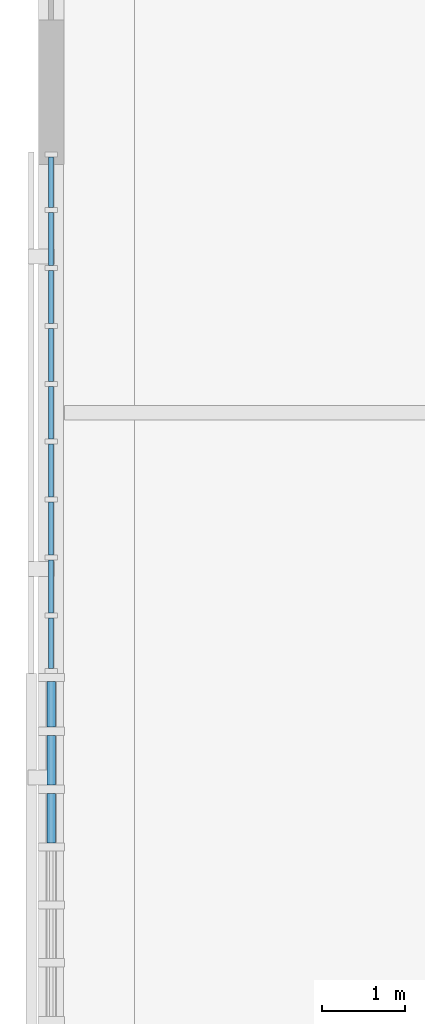
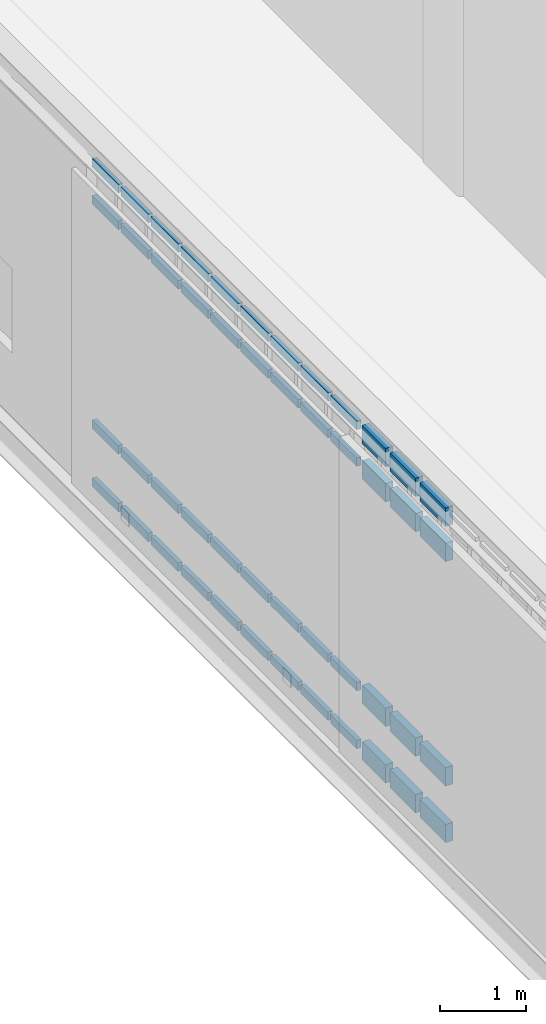
# One storey, part 50 of 127: 48 members, 2 elements without a shape of their own.
"""IFC4 building model written with IfcOpenShell, lengths in metres."""

from ifc_helpers import new_model, si_unit, direction, frame, origin, origin_2d, place, context, subcontext, project, spatial, rectangle, extrude, material, material_profile, profile_set, type_object, element, aggregate, save


model = new_model("IFC4")

# Units and contexts
model_context = context("Model", 3, precision=1e-05, world=origin(), true_north=direction((0.0, 1.0)))
body_context = subcontext(model_context, "Body", "Model", "MODEL_VIEW")
ifc_project = project(units=[si_unit("LENGTHUNIT", "METRE"), si_unit("AREAUNIT", "SQUARE_METRE"), si_unit("VOLUMEUNIT", "CUBIC_METRE"), si_unit("PLANEANGLEUNIT", "RADIAN"), si_unit("MASSUNIT", "GRAM", prefix="KILO")], contexts=[model_context])

# Site, building, storey
site_placement = place(None, origin())
site = spatial("IfcSite", under=ifc_project, at=site_placement, CompositionType="ELEMENT")
building_placement = place(site_placement, origin())
building = spatial("IfcBuilding", under=site, at=building_placement, Name="Larkvane Passage Sports Hall", CompositionType="ELEMENT")
storey_placement = place(building_placement, frame((0.0, 0.0, 5.39990234375)))
storey = spatial("IfcBuildingStorey", under=building, at=storey_placement, Name="L01", CompositionType="ELEMENT", Elevation=5.39990234375)

# Curtain wall, members
ifc_material_1 = material(Name="Thermally broken aluminium and low-E glazing", Category="aluminium")
curtain_wall_type_1 = type_object("IfcCurtainWallType", Name="CW-CLINIC", PredefinedType="USERDEFINED", material=ifc_material_1)
curtain_wall_1_placement = place(storey_placement, origin())
curtain_wall_1 = element("IfcCurtainWall", 1, at=curtain_wall_1_placement, inside=storey, type_object=curtain_wall_type_1, Name="Curtain wall CW5-L01-035", ObjectType="UNITISED CURTAIN WALL", PredefinedType="USERDEFINED")
ifc_material_2 = material(Name="Anodised aluminium 6063-T6", Category="aluminium")
ifc_material_profile_1 = material_profile(ifc_material_2, rectangle(XDim=0.10009765625, YDim=0.260009765625, at=origin_2d()), Name="ALU-TRN-100x260")
ifc_profile_set_1 = profile_set([ifc_material_profile_1], Name="Anodised aluminium 6063-T6")
member_type_1 = type_object("IfcMemberType", Name="CW-TRN-100x260", PredefinedType="USERDEFINED", material=ifc_profile_set_1)
member_1_placement = place(storey_placement, frame((27.800048828125, 52.037841796875, 0.050048828125), z_axis=(0.0, 1.0, 0.0), x_axis=(-1.0, 0.0, 0.0)))
member_1 = element("IfcMember", 2, at=member_1_placement, type_object=member_type_1, Name="CW-05 transom 7.1", ObjectType="TRANSOM", PredefinedType="USERDEFINED", context=body_context, shape_type="SweptSolid", body=[
    extrude(rectangle(XDim=0.10009765625, YDim=0.260009765625, at=origin_2d()), origin(), (0.0, 0.0, 1.0), 0.594970703125),
])
member_2_placement = place(storey_placement, frame((27.800048828125, 52.037841796875, 0.85009765625), z_axis=(0.0, 1.0, 0.0), x_axis=(-1.0, 0.0, 0.0)))
member_2 = element("IfcMember", 3, at=member_2_placement, type_object=member_type_1, Name="CW-05 transom 7.2", ObjectType="TRANSOM", PredefinedType="USERDEFINED", context=body_context, shape_type="SweptSolid", body=[
    extrude(rectangle(XDim=0.10009765625, YDim=0.260009765625, at=origin_2d()), origin(), (0.0, 0.0, 1.0), 0.594970703125),
])
member_3_placement = place(storey_placement, frame((27.800048828125, 52.037841796875, 4.028076171875), z_axis=(0.0, 1.0, 0.0), x_axis=(-1.0, 0.0, 0.0)))
member_3 = element("IfcMember", 4, at=member_3_placement, type_object=member_type_1, Name="CW-05 transom 7.3", ObjectType="TRANSOM", PredefinedType="USERDEFINED", context=body_context, shape_type="SweptSolid", body=[
    extrude(rectangle(XDim=0.10009765625, YDim=0.260009765625, at=origin_2d()), origin(), (0.0, 0.0, 1.0), 0.594970703125),
])
member_4_placement = place(storey_placement, frame((27.800048828125, 52.037841796875, 4.528076171875), z_axis=(0.0, 1.0, 0.0), x_axis=(-1.0, 0.0, 0.0)))
member_4 = element("IfcMember", 5, at=member_4_placement, type_object=member_type_1, Name="CW-05 transom 7.4", ObjectType="TRANSOM", PredefinedType="USERDEFINED", context=body_context, shape_type="SweptSolid", body=[
    extrude(rectangle(XDim=0.10009765625, YDim=0.260009765625, at=origin_2d()), origin(), (0.0, 0.0, 1.0), 0.594970703125),
])
member_5_placement = place(storey_placement, frame((27.800048828125, 52.73291015625, 0.050048828125), z_axis=(0.0, 1.0, 0.0), x_axis=(-1.0, 0.0, 0.0)))
member_5 = element("IfcMember", 6, at=member_5_placement, type_object=member_type_1, Name="CW-05 transom 8.1", ObjectType="TRANSOM", PredefinedType="USERDEFINED", context=body_context, shape_type="SweptSolid", body=[
    extrude(rectangle(XDim=0.10009765625, YDim=0.260009765625, at=origin_2d()), origin(), (0.0, 0.0, 1.0), 0.5947265625),
])
member_6_placement = place(storey_placement, frame((27.800048828125, 52.73291015625, 0.85009765625), z_axis=(0.0, 1.0, 0.0), x_axis=(-1.0, 0.0, 0.0)))
member_6 = element("IfcMember", 7, at=member_6_placement, type_object=member_type_1, Name="CW-05 transom 8.2", ObjectType="TRANSOM", PredefinedType="USERDEFINED", context=body_context, shape_type="SweptSolid", body=[
    extrude(rectangle(XDim=0.10009765625, YDim=0.260009765625, at=origin_2d()), origin(), (0.0, 0.0, 1.0), 0.5947265625),
])
member_7_placement = place(storey_placement, frame((27.800048828125, 52.73291015625, 4.028076171875), z_axis=(0.0, 1.0, 0.0), x_axis=(-1.0, 0.0, 0.0)))
member_7 = element("IfcMember", 8, at=member_7_placement, type_object=member_type_1, Name="CW-05 transom 8.3", ObjectType="TRANSOM", PredefinedType="USERDEFINED", context=body_context, shape_type="SweptSolid", body=[
    extrude(rectangle(XDim=0.10009765625, YDim=0.260009765625, at=origin_2d()), origin(), (0.0, 0.0, 1.0), 0.5947265625),
])
member_8_placement = place(storey_placement, frame((27.800048828125, 52.73291015625, 4.528076171875), z_axis=(0.0, 1.0, 0.0), x_axis=(-1.0, 0.0, 0.0)))
member_8 = element("IfcMember", 9, at=member_8_placement, type_object=member_type_1, Name="CW-05 transom 8.4", ObjectType="TRANSOM", PredefinedType="USERDEFINED", context=body_context, shape_type="SweptSolid", body=[
    extrude(rectangle(XDim=0.10009765625, YDim=0.260009765625, at=origin_2d()), origin(), (0.0, 0.0, 1.0), 0.5947265625),
])
member_9_placement = place(storey_placement, frame((27.800048828125, 53.427734375, 0.050048828125), z_axis=(0.0, 1.0, 0.0), x_axis=(-1.0, 0.0, 0.0)))
member_9 = element("IfcMember", 10, at=member_9_placement, type_object=member_type_1, Name="CW-05 transom 9.1", ObjectType="TRANSOM", PredefinedType="USERDEFINED", context=body_context, shape_type="SweptSolid", body=[
    extrude(rectangle(XDim=0.10009765625, YDim=0.260009765625, at=origin_2d()), origin(), (0.0, 0.0, 1.0), 0.544921875),
])
member_10_placement = place(storey_placement, frame((27.800048828125, 53.427734375, 0.85009765625), z_axis=(0.0, 1.0, 0.0), x_axis=(-1.0, 0.0, 0.0)))
member_10 = element("IfcMember", 11, at=member_10_placement, type_object=member_type_1, Name="CW-05 transom 9.2", ObjectType="TRANSOM", PredefinedType="USERDEFINED", context=body_context, shape_type="SweptSolid", body=[
    extrude(rectangle(XDim=0.10009765625, YDim=0.260009765625, at=origin_2d()), origin(), (0.0, 0.0, 1.0), 0.544921875),
])
member_11_placement = place(storey_placement, frame((27.800048828125, 53.427734375, 4.028076171875), z_axis=(0.0, 1.0, 0.0), x_axis=(-1.0, 0.0, 0.0)))
member_11 = element("IfcMember", 12, at=member_11_placement, type_object=member_type_1, Name="CW-05 transom 9.3", ObjectType="TRANSOM", PredefinedType="USERDEFINED", context=body_context, shape_type="SweptSolid", body=[
    extrude(rectangle(XDim=0.10009765625, YDim=0.260009765625, at=origin_2d()), origin(), (0.0, 0.0, 1.0), 0.544921875),
])
member_12_placement = place(storey_placement, frame((27.800048828125, 53.427734375, 4.528076171875), z_axis=(0.0, 1.0, 0.0), x_axis=(-1.0, 0.0, 0.0)))
member_12 = element("IfcMember", 13, at=member_12_placement, type_object=member_type_1, Name="CW-05 transom 9.4", ObjectType="TRANSOM", PredefinedType="USERDEFINED", context=body_context, shape_type="SweptSolid", body=[
    extrude(rectangle(XDim=0.10009765625, YDim=0.260009765625, at=origin_2d()), origin(), (0.0, 0.0, 1.0), 0.544921875),
])
aggregate(curtain_wall_1, [member_1, member_2, member_3, member_4, member_5, member_6, member_7, member_8, member_9, member_10, member_11, member_12])

curtain_wall_type_2 = type_object("IfcCurtainWallType", Name="CW-UNIT-COURT", PredefinedType="USERDEFINED", material=ifc_material_1)
curtain_wall_2_placement = place(storey_placement, origin())
curtain_wall_2 = element("IfcCurtainWall", 14, at=curtain_wall_2_placement, inside=storey, type_object=curtain_wall_type_2, Name="Curtain wall CW5-L01-036", ObjectType="UNITISED CURTAIN WALL", PredefinedType="USERDEFINED")
ifc_material_profile_2 = material_profile(ifc_material_2, rectangle(XDim=0.06005859375, YDim=0.1201171875, at=origin_2d()), Name="ALU-TRN-60x120")
ifc_profile_set_2 = profile_set([ifc_material_profile_2], Name="Anodised aluminium 6063-T6")
member_type_2 = type_object("IfcMemberType", Name="CW-TRN-60x120", PredefinedType="USERDEFINED", material=ifc_profile_set_2)
member_13_placement = place(storey_placement, frame((27.800048828125, 54.1328125, 0.030029296875), z_axis=(0.0, 1.0, 0.0), x_axis=(-1.0, 0.0, 0.0)))
member_13 = element("IfcMember", 15, at=member_13_placement, type_object=member_type_2, Name="CW-01 transom 1.1", ObjectType="TRANSOM", PredefinedType="USERDEFINED", context=body_context, shape_type="SweptSolid", body=[
    extrude(rectangle(XDim=0.06005859375, YDim=0.1201171875, at=origin_2d()), origin(), (0.0, 0.0, 1.0), 0.604736328125),
])
member_14_placement = place(storey_placement, frame((27.800048828125, 54.1328125, 0.85009765625), z_axis=(0.0, 1.0, 0.0), x_axis=(-1.0, 0.0, 0.0)))
member_14 = element("IfcMember", 16, at=member_14_placement, type_object=member_type_2, Name="CW-01 transom 1.2", ObjectType="TRANSOM", PredefinedType="USERDEFINED", context=body_context, shape_type="SweptSolid", body=[
    extrude(rectangle(XDim=0.06005859375, YDim=0.1201171875, at=origin_2d()), origin(), (0.0, 0.0, 1.0), 0.604736328125),
])
member_15_placement = place(storey_placement, frame((27.800048828125, 54.1328125, 4.028076171875), z_axis=(0.0, 1.0, 0.0), x_axis=(-1.0, 0.0, 0.0)))
member_15 = element("IfcMember", 17, at=member_15_placement, type_object=member_type_2, Name="CW-01 transom 1.3", ObjectType="TRANSOM", PredefinedType="USERDEFINED", context=body_context, shape_type="SweptSolid", body=[
    extrude(rectangle(XDim=0.06005859375, YDim=0.1201171875, at=origin_2d()), origin(), (0.0, 0.0, 1.0), 0.604736328125),
])
member_16_placement = place(storey_placement, frame((27.800048828125, 54.1328125, 4.548095703125), z_axis=(0.0, 1.0, 0.0), x_axis=(-1.0, 0.0, 0.0)))
member_16 = element("IfcMember", 18, at=member_16_placement, type_object=member_type_2, Name="CW-01 transom 1.4", ObjectType="TRANSOM", PredefinedType="USERDEFINED", context=body_context, shape_type="SweptSolid", body=[
    extrude(rectangle(XDim=0.06005859375, YDim=0.1201171875, at=origin_2d()), origin(), (0.0, 0.0, 1.0), 0.604736328125),
])
member_17_placement = place(storey_placement, frame((27.800048828125, 54.797607421875, 0.030029296875), z_axis=(0.0, 1.0, 0.0), x_axis=(-1.0, 0.0, 0.0)))
member_17 = element("IfcMember", 19, at=member_17_placement, type_object=member_type_2, Name="CW-01 transom 2.1", ObjectType="TRANSOM", PredefinedType="USERDEFINED", context=body_context, shape_type="SweptSolid", body=[
    extrude(rectangle(XDim=0.06005859375, YDim=0.1201171875, at=origin_2d()), origin(), (0.0, 0.0, 1.0), 0.635009765625),
])
member_18_placement = place(storey_placement, frame((27.800048828125, 54.797607421875, 0.85009765625), z_axis=(0.0, 1.0, 0.0), x_axis=(-1.0, 0.0, 0.0)))
member_18 = element("IfcMember", 20, at=member_18_placement, type_object=member_type_2, Name="CW-01 transom 2.2", ObjectType="TRANSOM", PredefinedType="USERDEFINED", context=body_context, shape_type="SweptSolid", body=[
    extrude(rectangle(XDim=0.06005859375, YDim=0.1201171875, at=origin_2d()), origin(), (0.0, 0.0, 1.0), 0.635009765625),
])
member_19_placement = place(storey_placement, frame((27.800048828125, 54.797607421875, 4.028076171875), z_axis=(0.0, 1.0, 0.0), x_axis=(-1.0, 0.0, 0.0)))
member_19 = element("IfcMember", 21, at=member_19_placement, type_object=member_type_2, Name="CW-01 transom 2.3", ObjectType="TRANSOM", PredefinedType="USERDEFINED", context=body_context, shape_type="SweptSolid", body=[
    extrude(rectangle(XDim=0.06005859375, YDim=0.1201171875, at=origin_2d()), origin(), (0.0, 0.0, 1.0), 0.635009765625),
])
member_20_placement = place(storey_placement, frame((27.800048828125, 54.797607421875, 4.548095703125), z_axis=(0.0, 1.0, 0.0), x_axis=(-1.0, 0.0, 0.0)))
member_20 = element("IfcMember", 22, at=member_20_placement, type_object=member_type_2, Name="CW-01 transom 2.4", ObjectType="TRANSOM", PredefinedType="USERDEFINED", context=body_context, shape_type="SweptSolid", body=[
    extrude(rectangle(XDim=0.06005859375, YDim=0.1201171875, at=origin_2d()), origin(), (0.0, 0.0, 1.0), 0.635009765625),
])
member_21_placement = place(storey_placement, frame((27.800048828125, 55.49267578125, 0.030029296875), z_axis=(0.0, 1.0, 0.0), x_axis=(-1.0, 0.0, 0.0)))
member_21 = element("IfcMember", 23, at=member_21_placement, type_object=member_type_2, Name="CW-01 transom 3.1", ObjectType="TRANSOM", PredefinedType="USERDEFINED", context=body_context, shape_type="SweptSolid", body=[
    extrude(rectangle(XDim=0.06005859375, YDim=0.1201171875, at=origin_2d()), origin(), (0.0, 0.0, 1.0), 0.635009765625),
])
member_22_placement = place(storey_placement, frame((27.800048828125, 55.49267578125, 0.85009765625), z_axis=(0.0, 1.0, 0.0), x_axis=(-1.0, 0.0, 0.0)))
member_22 = element("IfcMember", 24, at=member_22_placement, type_object=member_type_2, Name="CW-01 transom 3.2", ObjectType="TRANSOM", PredefinedType="USERDEFINED", context=body_context, shape_type="SweptSolid", body=[
    extrude(rectangle(XDim=0.06005859375, YDim=0.1201171875, at=origin_2d()), origin(), (0.0, 0.0, 1.0), 0.635009765625),
])
member_23_placement = place(storey_placement, frame((27.800048828125, 55.49267578125, 4.028076171875), z_axis=(0.0, 1.0, 0.0), x_axis=(-1.0, 0.0, 0.0)))
member_23 = element("IfcMember", 25, at=member_23_placement, type_object=member_type_2, Name="CW-01 transom 3.3", ObjectType="TRANSOM", PredefinedType="USERDEFINED", context=body_context, shape_type="SweptSolid", body=[
    extrude(rectangle(XDim=0.06005859375, YDim=0.1201171875, at=origin_2d()), origin(), (0.0, 0.0, 1.0), 0.635009765625),
])
member_24_placement = place(storey_placement, frame((27.800048828125, 55.49267578125, 4.548095703125), z_axis=(0.0, 1.0, 0.0), x_axis=(-1.0, 0.0, 0.0)))
member_24 = element("IfcMember", 26, at=member_24_placement, type_object=member_type_2, Name="CW-01 transom 3.4", ObjectType="TRANSOM", PredefinedType="USERDEFINED", context=body_context, shape_type="SweptSolid", body=[
    extrude(rectangle(XDim=0.06005859375, YDim=0.1201171875, at=origin_2d()), origin(), (0.0, 0.0, 1.0), 0.635009765625),
])
member_25_placement = place(storey_placement, frame((27.800048828125, 56.1875, 0.030029296875), z_axis=(0.0, 1.0, 0.0), x_axis=(-1.0, 0.0, 0.0)))
member_25 = element("IfcMember", 27, at=member_25_placement, type_object=member_type_2, Name="CW-01 transom 4.1", ObjectType="TRANSOM", PredefinedType="USERDEFINED", context=body_context, shape_type="SweptSolid", body=[
    extrude(rectangle(XDim=0.06005859375, YDim=0.1201171875, at=origin_2d()), origin(), (0.0, 0.0, 1.0), 0.635009765625),
])
member_26_placement = place(storey_placement, frame((27.800048828125, 56.1875, 0.85009765625), z_axis=(0.0, 1.0, 0.0), x_axis=(-1.0, 0.0, 0.0)))
member_26 = element("IfcMember", 28, at=member_26_placement, type_object=member_type_2, Name="CW-01 transom 4.2", ObjectType="TRANSOM", PredefinedType="USERDEFINED", context=body_context, shape_type="SweptSolid", body=[
    extrude(rectangle(XDim=0.06005859375, YDim=0.1201171875, at=origin_2d()), origin(), (0.0, 0.0, 1.0), 0.635009765625),
])
member_27_placement = place(storey_placement, frame((27.800048828125, 56.1875, 4.028076171875), z_axis=(0.0, 1.0, 0.0), x_axis=(-1.0, 0.0, 0.0)))
member_27 = element("IfcMember", 29, at=member_27_placement, type_object=member_type_2, Name="CW-01 transom 4.3", ObjectType="TRANSOM", PredefinedType="USERDEFINED", context=body_context, shape_type="SweptSolid", body=[
    extrude(rectangle(XDim=0.06005859375, YDim=0.1201171875, at=origin_2d()), origin(), (0.0, 0.0, 1.0), 0.635009765625),
])
member_28_placement = place(storey_placement, frame((27.800048828125, 56.1875, 4.548095703125), z_axis=(0.0, 1.0, 0.0), x_axis=(-1.0, 0.0, 0.0)))
member_28 = element("IfcMember", 30, at=member_28_placement, type_object=member_type_2, Name="CW-01 transom 4.4", ObjectType="TRANSOM", PredefinedType="USERDEFINED", context=body_context, shape_type="SweptSolid", body=[
    extrude(rectangle(XDim=0.06005859375, YDim=0.1201171875, at=origin_2d()), origin(), (0.0, 0.0, 1.0), 0.635009765625),
])
member_29_placement = place(storey_placement, frame((27.800048828125, 56.882568359375, 0.030029296875), z_axis=(0.0, 1.0, 0.0), x_axis=(-1.0, 0.0, 0.0)))
member_29 = element("IfcMember", 31, at=member_29_placement, type_object=member_type_2, Name="CW-01 transom 5.1", ObjectType="TRANSOM", PredefinedType="USERDEFINED", context=body_context, shape_type="SweptSolid", body=[
    extrude(rectangle(XDim=0.06005859375, YDim=0.1201171875, at=origin_2d()), origin(), (0.0, 0.0, 1.0), 0.635009765625),
])
member_30_placement = place(storey_placement, frame((27.800048828125, 56.882568359375, 0.85009765625), z_axis=(0.0, 1.0, 0.0), x_axis=(-1.0, 0.0, 0.0)))
member_30 = element("IfcMember", 32, at=member_30_placement, type_object=member_type_2, Name="CW-01 transom 5.2", ObjectType="TRANSOM", PredefinedType="USERDEFINED", context=body_context, shape_type="SweptSolid", body=[
    extrude(rectangle(XDim=0.06005859375, YDim=0.1201171875, at=origin_2d()), origin(), (0.0, 0.0, 1.0), 0.635009765625),
])
member_31_placement = place(storey_placement, frame((27.800048828125, 56.882568359375, 4.028076171875), z_axis=(0.0, 1.0, 0.0), x_axis=(-1.0, 0.0, 0.0)))
member_31 = element("IfcMember", 33, at=member_31_placement, type_object=member_type_2, Name="CW-01 transom 5.3", ObjectType="TRANSOM", PredefinedType="USERDEFINED", context=body_context, shape_type="SweptSolid", body=[
    extrude(rectangle(XDim=0.06005859375, YDim=0.1201171875, at=origin_2d()), origin(), (0.0, 0.0, 1.0), 0.635009765625),
])
member_32_placement = place(storey_placement, frame((27.800048828125, 56.882568359375, 4.548095703125), z_axis=(0.0, 1.0, 0.0), x_axis=(-1.0, 0.0, 0.0)))
member_32 = element("IfcMember", 34, at=member_32_placement, type_object=member_type_2, Name="CW-01 transom 5.4", ObjectType="TRANSOM", PredefinedType="USERDEFINED", context=body_context, shape_type="SweptSolid", body=[
    extrude(rectangle(XDim=0.06005859375, YDim=0.1201171875, at=origin_2d()), origin(), (0.0, 0.0, 1.0), 0.635009765625),
])
member_33_placement = place(storey_placement, frame((27.800048828125, 57.577392578125, 0.030029296875), z_axis=(0.0, 1.0, 0.0), x_axis=(-1.0, 0.0, 0.0)))
member_33 = element("IfcMember", 35, at=member_33_placement, type_object=member_type_2, Name="CW-01 transom 6.1", ObjectType="TRANSOM", PredefinedType="USERDEFINED", context=body_context, shape_type="SweptSolid", body=[
    extrude(rectangle(XDim=0.06005859375, YDim=0.1201171875, at=origin_2d()), origin(), (0.0, 0.0, 1.0), 0.635009765625),
])
member_34_placement = place(storey_placement, frame((27.800048828125, 57.577392578125, 0.85009765625), z_axis=(0.0, 1.0, 0.0), x_axis=(-1.0, 0.0, 0.0)))
member_34 = element("IfcMember", 36, at=member_34_placement, type_object=member_type_2, Name="CW-01 transom 6.2", ObjectType="TRANSOM", PredefinedType="USERDEFINED", context=body_context, shape_type="SweptSolid", body=[
    extrude(rectangle(XDim=0.06005859375, YDim=0.1201171875, at=origin_2d()), origin(), (0.0, 0.0, 1.0), 0.635009765625),
])
member_35_placement = place(storey_placement, frame((27.800048828125, 57.577392578125, 4.028076171875), z_axis=(0.0, 1.0, 0.0), x_axis=(-1.0, 0.0, 0.0)))
member_35 = element("IfcMember", 37, at=member_35_placement, type_object=member_type_2, Name="CW-01 transom 6.3", ObjectType="TRANSOM", PredefinedType="USERDEFINED", context=body_context, shape_type="SweptSolid", body=[
    extrude(rectangle(XDim=0.06005859375, YDim=0.1201171875, at=origin_2d()), origin(), (0.0, 0.0, 1.0), 0.635009765625),
])
member_36_placement = place(storey_placement, frame((27.800048828125, 57.577392578125, 4.548095703125), z_axis=(0.0, 1.0, 0.0), x_axis=(-1.0, 0.0, 0.0)))
member_36 = element("IfcMember", 38, at=member_36_placement, type_object=member_type_2, Name="CW-01 transom 6.4", ObjectType="TRANSOM", PredefinedType="USERDEFINED", context=body_context, shape_type="SweptSolid", body=[
    extrude(rectangle(XDim=0.06005859375, YDim=0.1201171875, at=origin_2d()), origin(), (0.0, 0.0, 1.0), 0.635009765625),
])
member_37_placement = place(storey_placement, frame((27.800048828125, 58.2724609375, 0.030029296875), z_axis=(0.0, 1.0, 0.0), x_axis=(-1.0, 0.0, 0.0)))
member_37 = element("IfcMember", 39, at=member_37_placement, type_object=member_type_2, Name="CW-01 transom 7.1", ObjectType="TRANSOM", PredefinedType="USERDEFINED", context=body_context, shape_type="SweptSolid", body=[
    extrude(rectangle(XDim=0.06005859375, YDim=0.1201171875, at=origin_2d()), origin(), (0.0, 0.0, 1.0), 0.635009765625),
])
member_38_placement = place(storey_placement, frame((27.800048828125, 58.2724609375, 0.85009765625), z_axis=(0.0, 1.0, 0.0), x_axis=(-1.0, 0.0, 0.0)))
member_38 = element("IfcMember", 40, at=member_38_placement, type_object=member_type_2, Name="CW-01 transom 7.2", ObjectType="TRANSOM", PredefinedType="USERDEFINED", context=body_context, shape_type="SweptSolid", body=[
    extrude(rectangle(XDim=0.06005859375, YDim=0.1201171875, at=origin_2d()), origin(), (0.0, 0.0, 1.0), 0.635009765625),
])
member_39_placement = place(storey_placement, frame((27.800048828125, 58.2724609375, 4.028076171875), z_axis=(0.0, 1.0, 0.0), x_axis=(-1.0, 0.0, 0.0)))
member_39 = element("IfcMember", 41, at=member_39_placement, type_object=member_type_2, Name="CW-01 transom 7.3", ObjectType="TRANSOM", PredefinedType="USERDEFINED", context=body_context, shape_type="SweptSolid", body=[
    extrude(rectangle(XDim=0.06005859375, YDim=0.1201171875, at=origin_2d()), origin(), (0.0, 0.0, 1.0), 0.635009765625),
])
member_40_placement = place(storey_placement, frame((27.800048828125, 58.2724609375, 4.548095703125), z_axis=(0.0, 1.0, 0.0), x_axis=(-1.0, 0.0, 0.0)))
member_40 = element("IfcMember", 42, at=member_40_placement, type_object=member_type_2, Name="CW-01 transom 7.4", ObjectType="TRANSOM", PredefinedType="USERDEFINED", context=body_context, shape_type="SweptSolid", body=[
    extrude(rectangle(XDim=0.06005859375, YDim=0.1201171875, at=origin_2d()), origin(), (0.0, 0.0, 1.0), 0.635009765625),
])
member_41_placement = place(storey_placement, frame((27.800048828125, 58.96728515625, 0.030029296875), z_axis=(0.0, 1.0, 0.0), x_axis=(-1.0, 0.0, 0.0)))
member_41 = element("IfcMember", 43, at=member_41_placement, type_object=member_type_2, Name="CW-01 transom 8.1", ObjectType="TRANSOM", PredefinedType="USERDEFINED", context=body_context, shape_type="SweptSolid", body=[
    extrude(rectangle(XDim=0.06005859375, YDim=0.1201171875, at=origin_2d()), origin(), (0.0, 0.0, 1.0), 0.635009765625),
])
member_42_placement = place(storey_placement, frame((27.800048828125, 58.96728515625, 0.85009765625), z_axis=(0.0, 1.0, 0.0), x_axis=(-1.0, 0.0, 0.0)))
member_42 = element("IfcMember", 44, at=member_42_placement, type_object=member_type_2, Name="CW-01 transom 8.2", ObjectType="TRANSOM", PredefinedType="USERDEFINED", context=body_context, shape_type="SweptSolid", body=[
    extrude(rectangle(XDim=0.06005859375, YDim=0.1201171875, at=origin_2d()), origin(), (0.0, 0.0, 1.0), 0.635009765625),
])
member_43_placement = place(storey_placement, frame((27.800048828125, 58.96728515625, 4.028076171875), z_axis=(0.0, 1.0, 0.0), x_axis=(-1.0, 0.0, 0.0)))
member_43 = element("IfcMember", 45, at=member_43_placement, type_object=member_type_2, Name="CW-01 transom 8.3", ObjectType="TRANSOM", PredefinedType="USERDEFINED", context=body_context, shape_type="SweptSolid", body=[
    extrude(rectangle(XDim=0.06005859375, YDim=0.1201171875, at=origin_2d()), origin(), (0.0, 0.0, 1.0), 0.635009765625),
])
member_44_placement = place(storey_placement, frame((27.800048828125, 58.96728515625, 4.548095703125), z_axis=(0.0, 1.0, 0.0), x_axis=(-1.0, 0.0, 0.0)))
member_44 = element("IfcMember", 46, at=member_44_placement, type_object=member_type_2, Name="CW-01 transom 8.4", ObjectType="TRANSOM", PredefinedType="USERDEFINED", context=body_context, shape_type="SweptSolid", body=[
    extrude(rectangle(XDim=0.06005859375, YDim=0.1201171875, at=origin_2d()), origin(), (0.0, 0.0, 1.0), 0.635009765625),
])
member_45_placement = place(storey_placement, frame((27.800048828125, 59.662353515625, 0.030029296875), z_axis=(0.0, 1.0, 0.0), x_axis=(-1.0, 0.0, 0.0)))
member_45 = element("IfcMember", 47, at=member_45_placement, type_object=member_type_2, Name="CW-01 transom 9.1", ObjectType="TRANSOM", PredefinedType="USERDEFINED", context=body_context, shape_type="SweptSolid", body=[
    extrude(rectangle(XDim=0.06005859375, YDim=0.1201171875, at=origin_2d()), origin(), (0.0, 0.0, 1.0), 0.60498046875),
])
member_46_placement = place(storey_placement, frame((27.800048828125, 59.662353515625, 0.85009765625), z_axis=(0.0, 1.0, 0.0), x_axis=(-1.0, 0.0, 0.0)))
member_46 = element("IfcMember", 48, at=member_46_placement, type_object=member_type_2, Name="CW-01 transom 9.2", ObjectType="TRANSOM", PredefinedType="USERDEFINED", context=body_context, shape_type="SweptSolid", body=[
    extrude(rectangle(XDim=0.06005859375, YDim=0.1201171875, at=origin_2d()), origin(), (0.0, 0.0, 1.0), 0.60498046875),
])
member_47_placement = place(storey_placement, frame((27.800048828125, 59.662353515625, 4.028076171875), z_axis=(0.0, 1.0, 0.0), x_axis=(-1.0, 0.0, 0.0)))
member_47 = element("IfcMember", 49, at=member_47_placement, type_object=member_type_2, Name="CW-01 transom 9.3", ObjectType="TRANSOM", PredefinedType="USERDEFINED", context=body_context, shape_type="SweptSolid", body=[
    extrude(rectangle(XDim=0.06005859375, YDim=0.1201171875, at=origin_2d()), origin(), (0.0, 0.0, 1.0), 0.60498046875),
])
member_48_placement = place(storey_placement, frame((27.800048828125, 59.662353515625, 4.548095703125), z_axis=(0.0, 1.0, 0.0), x_axis=(-1.0, 0.0, 0.0)))
member_48 = element("IfcMember", 50, at=member_48_placement, type_object=member_type_2, Name="CW-01 transom 9.4", ObjectType="TRANSOM", PredefinedType="USERDEFINED", context=body_context, shape_type="SweptSolid", body=[
    extrude(rectangle(XDim=0.06005859375, YDim=0.1201171875, at=origin_2d()), origin(), (0.0, 0.0, 1.0), 0.60498046875),
])
aggregate(curtain_wall_2, [member_13, member_14, member_15, member_16, member_17, member_18, member_19, member_20, member_21, member_22, member_23, member_24, member_25, member_26, member_27, member_28, member_29, member_30, member_31, member_32, member_33, member_34, member_35, member_36, member_37, member_38, member_39, member_40, member_41, member_42, member_43, member_44, member_45, member_46, member_47, member_48])

save(model, "model.ifc")
